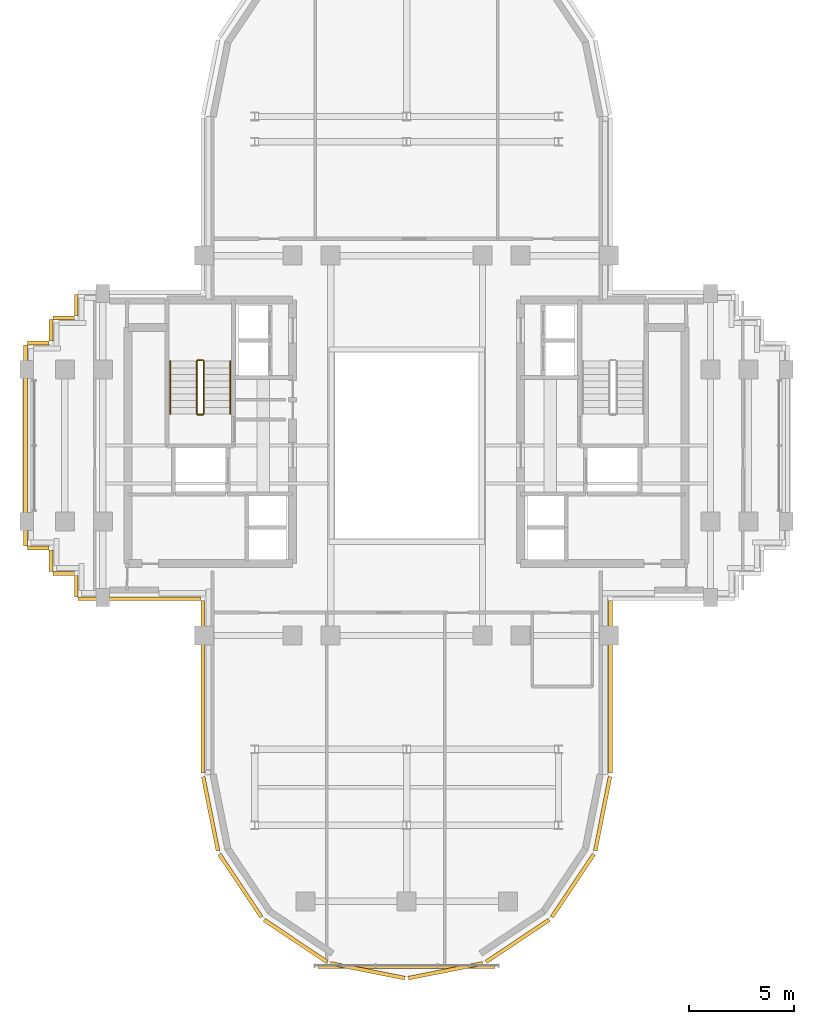
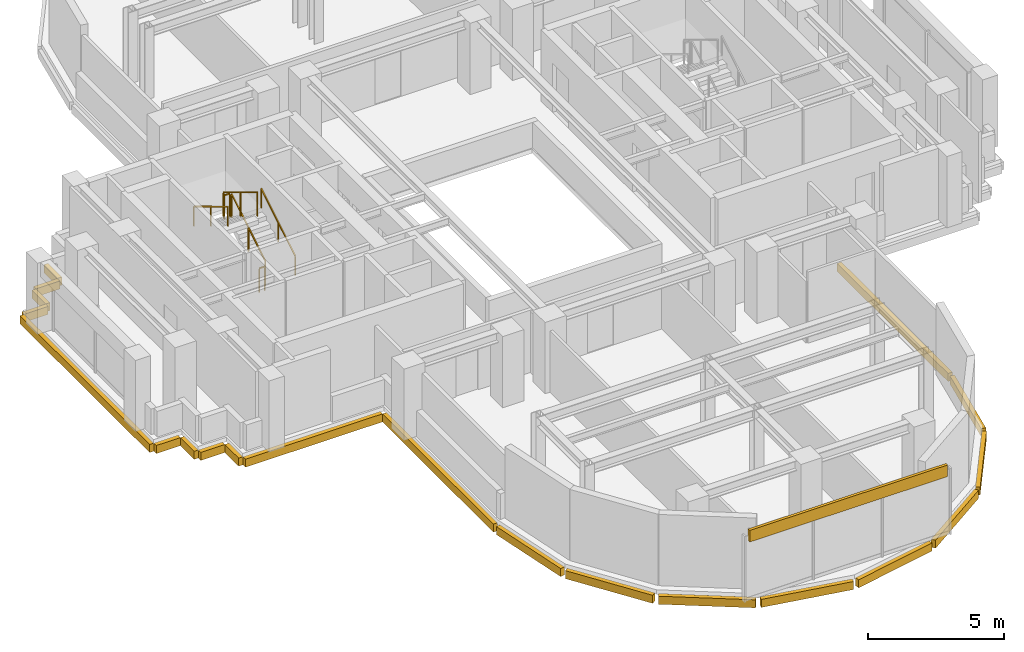
# One storey, part 9 of 11: 21 coverings, 6 railings.
"""IFC4 building model written with IfcOpenShell, lengths in metres."""

from ifc_helpers import new_model, si_unit, direction, frame, origin, origin_2d, place, context, subcontext, project, spatial, rectangle, extrude, source, transform, mapped, material, layer, layer_set, type_object, element, save


model = new_model("IFC4")

# Units and contexts
model_context = context("Model", 3, precision=1e-05, world=origin(), true_north=direction((0.0, 1.0)))
body_context = subcontext(model_context, "Body", "Model", "MODEL_VIEW")
ifc_project = project(units=[si_unit("LENGTHUNIT", "METRE"), si_unit("AREAUNIT", "SQUARE_METRE"), si_unit("VOLUMEUNIT", "CUBIC_METRE"), si_unit("PLANEANGLEUNIT", "RADIAN"), si_unit("MASSUNIT", "GRAM", prefix="KILO")], contexts=[model_context])

# Site, building, storey
site_placement = place(None, origin())
site = spatial("IfcSite", under=ifc_project, at=site_placement, CompositionType="ELEMENT")
building_placement = place(site_placement, origin())
building = spatial("IfcBuilding", under=site, at=building_placement, Name="Keilestroom Media Tower", CompositionType="ELEMENT")
storey_placement = place(building_placement, frame((0.0, 0.0, 180.800048828125)))
storey = spatial("IfcBuildingStorey", under=building, at=storey_placement, Name="L49", CompositionType="ELEMENT", Elevation=180.800048828125)

# Railings
ifc_material_1 = material(Name="Brushed Stainless Steel 1.4301", Category="steel")
railing_type_1 = type_object("IfcRailingType", Name="Stair-Pitch-Handrail-920", PredefinedType="HANDRAIL", material=ifc_material_1)
railing_1_placement = place(storey_placement, frame((-8.35009765625, 1.5, 0.188720703125)))
element("IfcRailing", 1, at=railing_1_placement, inside=storey, type_object=railing_type_1, Name="L49 ST-1 stair handrail 1", PredefinedType="HANDRAIL", context=body_context, shape_type="SweptSolid", body=[
    extrude(rectangle(XDim=0.048095703125, YDim=0.048095703125, at=origin_2d()), frame((0.0, 0.0, 0.8759765625), z_axis=(0.0, 0.855433747314, 0.517912255074), x_axis=(-1.0, 0.0, 0.0)), (0.0, 0.0, 1.0), 2.91796875),
    extrude(rectangle(XDim=0.0419921875, YDim=0.0419921875, at=origin_2d()), origin(), (0.0, 0.0, 1.0), 0.84375),
    extrude(rectangle(XDim=0.0419921875, YDim=0.0419921875, at=origin_2d()), frame((0.0, 1.248046875, 0.755615234375)), (0.0, 0.0, 1.0), 0.84375),
    extrude(rectangle(XDim=0.0419921875, YDim=0.0419921875, at=origin_2d()), frame((0.0, 2.49609375, 1.51123046875)), (0.0, 0.0, 1.0), 0.84375),
])
railing_2_placement = place(storey_placement, frame((-11.2099609375, 3.99609375, 1.888916015625)))
element("IfcRailing", 2, at=railing_2_placement, inside=storey, type_object=railing_type_1, Name="L49 ST-1 stair handrail 2", PredefinedType="HANDRAIL", context=body_context, shape_type="SweptSolid", body=[
    extrude(rectangle(XDim=0.048095703125, YDim=0.048095703125, at=origin_2d()), frame((0.0, 0.0, 0.8759765625), z_axis=(0.0, -0.855470815493, 0.517851024754), x_axis=(1.0, 0.0, 0.0)), (0.0, 0.0, 1.0), 2.917724609375),
    extrude(rectangle(XDim=0.0419921875, YDim=0.0419921875, at=origin_2d()), origin(), (0.0, 0.0, 1.0), 0.84375),
    extrude(rectangle(XDim=0.0419921875, YDim=0.0419921875, at=origin_2d()), frame((0.0, -1.248046875, 0.75537109375)), (0.0, 0.0, 1.0), 0.84375),
    extrude(rectangle(XDim=0.0419921875, YDim=0.0419921875, at=origin_2d()), frame((0.0, -2.49609375, 1.510986328125)), (0.0, 0.0, 1.0), 0.84375),
])
ifc_material_2 = material(Name="Painted Steel Balustrade", Category="steel")
railing_type_2 = type_object("IfcRailingType", Name="Stair-Well-And-Landing-Guard-1100", PredefinedType="GUARDRAIL", material=ifc_material_2)
railing_3_placement = place(storey_placement, frame((-9.610107421875, 1.5, 0.188720703125)))
element("IfcRailing", 3, at=railing_3_placement, inside=storey, type_object=railing_type_2, Name="L49 ST-1 stair guard 1", PredefinedType="GUARDRAIL", context=body_context, shape_type="SweptSolid", body=[
    extrude(rectangle(XDim=0.048095703125, YDim=0.048095703125, at=origin_2d()), frame((0.0, 0.0, 1.076171875), z_axis=(0.0, 0.855433747314, 0.517912255074), x_axis=(-1.0, 0.0, 0.0)), (0.0, 0.0, 1.0), 2.91796875),
    extrude(rectangle(XDim=0.0419921875, YDim=0.0419921875, at=origin_2d()), origin(), (0.0, 0.0, 1.0), 1.0439453125),
    extrude(rectangle(XDim=0.0419921875, YDim=0.0419921875, at=origin_2d()), frame((0.0, 1.248046875, 0.755615234375)), (0.0, 0.0, 1.0), 1.0439453125),
    extrude(rectangle(XDim=0.0419921875, YDim=0.0419921875, at=origin_2d()), frame((0.0, 2.49609375, 1.51123046875)), (0.0, 0.0, 1.0), 1.0439453125),
])
railing_4_placement = place(storey_placement, frame((-9.659912109375, 4.0458984375, 1.699951171875)))
element("IfcRailing", 4, at=railing_4_placement, inside=storey, type_object=railing_type_2, Name="L49 ST-1 stair guard 2", PredefinedType="GUARDRAIL", context=body_context, shape_type="SweptSolid", body=[
    extrude(rectangle(XDim=0.048095703125, YDim=0.048095703125, at=origin_2d()), frame((0.0, 0.0, 1.076171875), z_axis=(-1.0, 0.0, 0.0), x_axis=(0.0, -1.0, 0.0)), (0.0, 0.0, 1.0), 0.239990234375),
    extrude(rectangle(XDim=0.0419921875, YDim=0.0419921875, at=origin_2d()), origin(), (0.0, 0.0, 1.0), 1.0439453125),
    extrude(rectangle(XDim=0.0419921875, YDim=0.0419921875, at=origin_2d()), frame((-0.239990234375, 0.0, 0.0)), (0.0, 0.0, 1.0), 1.0439453125),
])
railing_5_placement = place(storey_placement, frame((-9.949951171875, 3.99609375, 1.888916015625)))
element("IfcRailing", 5, at=railing_5_placement, inside=storey, type_object=railing_type_2, Name="L49 ST-1 stair guard 3", PredefinedType="GUARDRAIL", context=body_context, shape_type="SweptSolid", body=[
    extrude(rectangle(XDim=0.048095703125, YDim=0.048095703125, at=origin_2d()), frame((0.0, 0.0, 1.076171875), z_axis=(0.0, -0.855470815493, 0.517851024754), x_axis=(1.0, 0.0, 0.0)), (0.0, 0.0, 1.0), 2.917724609375),
    extrude(rectangle(XDim=0.0419921875, YDim=0.0419921875, at=origin_2d()), origin(), (0.0, 0.0, 1.0), 1.0439453125),
    extrude(rectangle(XDim=0.0419921875, YDim=0.0419921875, at=origin_2d()), frame((0.0, -1.248046875, 0.75537109375)), (0.0, 0.0, 1.0), 1.0439453125),
    extrude(rectangle(XDim=0.0419921875, YDim=0.0419921875, at=origin_2d()), frame((0.0, -2.49609375, 1.510986328125)), (0.0, 0.0, 1.0), 1.0439453125),
])
railing_6_placement = place(storey_placement, frame((-9.659912109375, 1.449951171875, 0.0)))
element("IfcRailing", 6, at=railing_6_placement, inside=storey, type_object=railing_type_2, Name="L49 ST-1 stair guard 4", PredefinedType="GUARDRAIL", context=body_context, shape_type="SweptSolid", body=[
    extrude(rectangle(XDim=0.048095703125, YDim=0.048095703125, at=origin_2d()), frame((0.0, 0.0, 1.076171875), z_axis=(-1.0, 0.0, 0.0), x_axis=(0.0, -1.0, 0.0)), (0.0, 0.0, 1.0), 0.239990234375),
    extrude(rectangle(XDim=0.0419921875, YDim=0.0419921875, at=origin_2d()), origin(), (0.0, 0.0, 1.0), 1.0439453125),
    extrude(rectangle(XDim=0.0419921875, YDim=0.0419921875, at=origin_2d()), frame((-0.239990234375, 0.0, 0.0)), (0.0, 0.0, 1.0), 1.0439453125),
])

# Coverings
ifc_material_3 = material(Name="Precast concrete C40/50", Category="concrete")
ifc_layer = layer(ifc_material_3, 0.1201171875)
ifc_layer_set = layer_set([ifc_layer], Name="Precast concrete C40/50")
covering_type = type_object("IfcCoveringType", Name="Exterior-Precast-Spandrel-Cladding-Panel-120", PredefinedType="CLADDING", material=ifc_layer_set)
shared_shape_1 = source(origin(), body_context, "Body", "SweptSolid", [
    extrude(rectangle(XDim=8.39990234375, YDim=0.1201171875, at=origin_2d()), origin(), (0.0, 0.0, 1.0), 0.52001953125),
])
covering_1_placement = place(storey_placement, frame((0.0, -24.719970703125, 2.68994140625), z_axis=(0.0, 0.0, 1.0), x_axis=(1.0, 0.0, 0.0)))
element("IfcCovering", 7, at=covering_1_placement, inside=storey, type_object=covering_type, Name="L49 Precast Spandrel Cladding S", PredefinedType="CLADDING", context=body_context, shape_type="MappedRepresentation", body=[
    mapped(shared_shape_1, transform((0.0, 0.0, 0.0), x_axis=(1.0, 0.0, 0.0), y_axis=(0.0, 1.0, 0.0), z_axis=(0.0, 0.0, 1.0), scale=1.0)),
])
shared_shape_2 = source(origin(), body_context, "Body", "SweptSolid", [
    extrude(rectangle(XDim=1.02001953125, YDim=0.179931640625, at=origin_2d()), origin(), (0.0, 0.0, 1.0), 0.360107421875),
])
for number, where, z_axis, x_axis, name in (
    (8, (-15.659912109375, -6.659912109375, -0.5400390625), (0.0, 0.0, 1.0), (0.0, 1.0, 0.0), "L49 Precast Slab-Edge Fascia Cornice 17"),
    (9, (-16.260009765625, -6.06005859375, -0.5400390625), (0.0, 0.0, 1.0), (-1.0, 0.0, 0.0), "L49 Precast Slab-Edge Fascia Cornice 18"),
    (10, (-16.860107421875, -5.4599609375, -0.5400390625), (0.0, 0.0, 1.0), (0.0, 1.0, 0.0), "L49 Precast Slab-Edge Fascia Cornice 19"),
    (11, (-17.4599609375, -4.860107421875, -0.5400390625), (0.0, 0.0, 1.0), (-1.0, 0.0, 0.0), "L49 Precast Slab-Edge Fascia Cornice 20"),
    (12, (-17.4599609375, 4.860107421875, -0.5400390625), (0.0, 0.0, 1.0), (1.0, 0.0, 0.0), "L49 Precast Slab-Edge Fascia Cornice 22"),
    (13, (-16.860107421875, 5.4599609375, -0.5400390625), (0.0, 0.0, 1.0), (0.0, 1.0, 0.0), "L49 Precast Slab-Edge Fascia Cornice 23"),
    (14, (-16.260009765625, 6.06005859375, -0.5400390625), (0.0, 0.0, 1.0), (1.0, 0.0, 0.0), "L49 Precast Slab-Edge Fascia Cornice 24"),
    (15, (-15.659912109375, 6.659912109375, -0.5400390625), (0.0, 0.0, 1.0), (0.0, 1.0, 0.0), "L49 Precast Slab-Edge Fascia Cornice 25"),
):
    element("IfcCovering", number, at=place(storey_placement, frame(where, z_axis=z_axis, x_axis=x_axis)), inside=storey, type_object=covering_type, Name=name, PredefinedType="CLADDING", context=body_context, shape_type="MappedRepresentation", body=[
        mapped(shared_shape_2, transform((0.0, 0.0, 0.0), x_axis=(1.0, 0.0, 0.0), y_axis=(0.0, 1.0, 0.0), z_axis=(0.0, 0.0, 1.0), scale=1.0)),
    ])
shared_shape_3 = source(origin(), body_context, "Body", "SweptSolid", [
    extrude(rectangle(XDim=8.166015625, YDim=0.179931640625, at=origin_2d()), origin(), (0.0, 0.0, 1.0), 0.360107421875),
])
for number, where, z_axis, x_axis, name in (
    (16, (9.659912109375, -11.43310546875, -0.5400390625), (0.0, 0.0, 1.0), (0.0, -1.0, 0.0), "L49 Precast Slab-Edge Fascia Cornice 06"),
    (17, (-9.659912109375, -11.43310546875, -0.5400390625), (0.0, 0.0, 1.0), (0.0, 1.0, 0.0), "L49 Precast Slab-Edge Fascia Cornice 15"),
):
    element("IfcCovering", number, at=place(storey_placement, frame(where, z_axis=z_axis, x_axis=x_axis)), inside=storey, type_object=covering_type, Name=name, PredefinedType="CLADDING", context=body_context, shape_type="MappedRepresentation", body=[
        mapped(shared_shape_3, transform((0.0, 0.0, 0.0), x_axis=(1.0, 0.0, 0.0), y_axis=(0.0, 1.0, 0.0), z_axis=(0.0, 0.0, 1.0), scale=1.0)),
    ])
shared_shape_4 = source(origin(), body_context, "Body", "SweptSolid", [
    extrude(rectangle(XDim=3.58349609375, YDim=0.179931640625, at=origin_2d()), origin(), (0.0, 0.0, 1.0), 0.360107421875),
])
for number, where, z_axis, x_axis, name in (
    (18, (9.29296875, -17.45166015625, -0.5400390625), (0.0, 0.0, 1.0), (-0.195098880975, -0.980783577882, 0.0), "L49 Precast Slab-Edge Fascia Cornice 07"),
    (19, (-9.29296875, -17.45166015625, -0.5400390625), (0.0, 0.0, 1.0), (-0.195098880975, 0.980783577882, 0.0), "L49 Precast Slab-Edge Fascia Cornice 14"),
):
    element("IfcCovering", number, at=place(storey_placement, frame(where, z_axis=z_axis, x_axis=x_axis)), inside=storey, type_object=covering_type, Name=name, PredefinedType="CLADDING", context=body_context, shape_type="MappedRepresentation", body=[
        mapped(shared_shape_4, transform((0.0, 0.0, 0.0), x_axis=(1.0, 0.0, 0.0), y_axis=(0.0, 1.0, 0.0), z_axis=(0.0, 0.0, 1.0), scale=1.0)),
    ])
shared_shape_5 = source(origin(), body_context, "Body", "SweptSolid", [
    extrude(rectangle(XDim=3.589599609375, YDim=0.179931640625, at=origin_2d()), origin(), (0.0, 0.0, 1.0), 0.360107421875),
])
for number, where, z_axis, x_axis, name in (
    (20, (7.878662109375, -20.8642578125, -0.5400390625), (0.0, 0.0, 1.0), (-0.555574586577, -0.831466703332, 0.0), "L49 Precast Slab-Edge Fascia Cornice 08"),
    (21, (5.264404296875, -23.478515625, -0.5400390625), (0.0, 0.0, 1.0), (-0.831466703332, -0.555574586577, 0.0), "L49 Precast Slab-Edge Fascia Cornice 09"),
    (22, (1.8486328125, -24.893310546875, -0.5400390625), (0.0, 0.0, 1.0), (-0.980783577882, -0.195098880975, 0.0), "L49 Precast Slab-Edge Fascia Cornice 10"),
    (23, (-1.8486328125, -24.893310546875, -0.5400390625), (0.0, 0.0, 1.0), (-0.980783577882, 0.195098880975, 0.0), "L49 Precast Slab-Edge Fascia Cornice 11"),
    (24, (-5.264404296875, -23.478515625, -0.5400390625), (0.0, 0.0, 1.0), (-0.831466703332, 0.555574586577, 0.0), "L49 Precast Slab-Edge Fascia Cornice 12"),
    (25, (-7.878662109375, -20.8642578125, -0.5400390625), (0.0, 0.0, 1.0), (-0.555574586577, 0.831466703332, 0.0), "L49 Precast Slab-Edge Fascia Cornice 13"),
):
    element("IfcCovering", number, at=place(storey_placement, frame(where, z_axis=z_axis, x_axis=x_axis)), inside=storey, type_object=covering_type, Name=name, PredefinedType="CLADDING", context=body_context, shape_type="MappedRepresentation", body=[
        mapped(shared_shape_5, transform((0.0, 0.0, 0.0), x_axis=(1.0, 0.0, 0.0), y_axis=(0.0, 1.0, 0.0), z_axis=(0.0, 0.0, 1.0), scale=1.0)),
    ])
shared_shape_6 = source(origin(), body_context, "Body", "SweptSolid", [
    extrude(rectangle(XDim=9.5400390625, YDim=0.179931640625, at=origin_2d()), origin(), (0.0, 0.0, 1.0), 0.360107421875),
])
covering_2_placement = place(storey_placement, frame((-18.06005859375, 0.0, -0.5400390625), z_axis=(0.0, 0.0, 1.0), x_axis=(0.0, 1.0, 0.0)))
element("IfcCovering", 26, at=covering_2_placement, inside=storey, type_object=covering_type, Name="L49 Precast Slab-Edge Fascia Cornice 21", PredefinedType="CLADDING", context=body_context, shape_type="MappedRepresentation", body=[
    mapped(shared_shape_6, transform((0.0, 0.0, 0.0), x_axis=(1.0, 0.0, 0.0), y_axis=(0.0, 1.0, 0.0), z_axis=(0.0, 0.0, 1.0), scale=1.0)),
])
shared_shape_7 = source(origin(), body_context, "Body", "SweptSolid", [
    extrude(rectangle(XDim=5.820068359375, YDim=0.179931640625, at=origin_2d()), origin(), (0.0, 0.0, 1.0), 0.360107421875),
])
covering_3_placement = place(storey_placement, frame((-12.659912109375, -7.260009765625, -0.5400390625), z_axis=(0.0, 0.0, 1.0), x_axis=(-1.0, 0.0, 0.0)))
element("IfcCovering", 27, at=covering_3_placement, inside=storey, type_object=covering_type, Name="L49 Precast Slab-Edge Fascia Cornice 16", PredefinedType="CLADDING", context=body_context, shape_type="MappedRepresentation", body=[
    mapped(shared_shape_7, transform((0.0, 0.0, 0.0), x_axis=(1.0, 0.0, 0.0), y_axis=(0.0, 1.0, 0.0), z_axis=(0.0, 0.0, 1.0), scale=1.0)),
])

save(model, "model.ifc")
